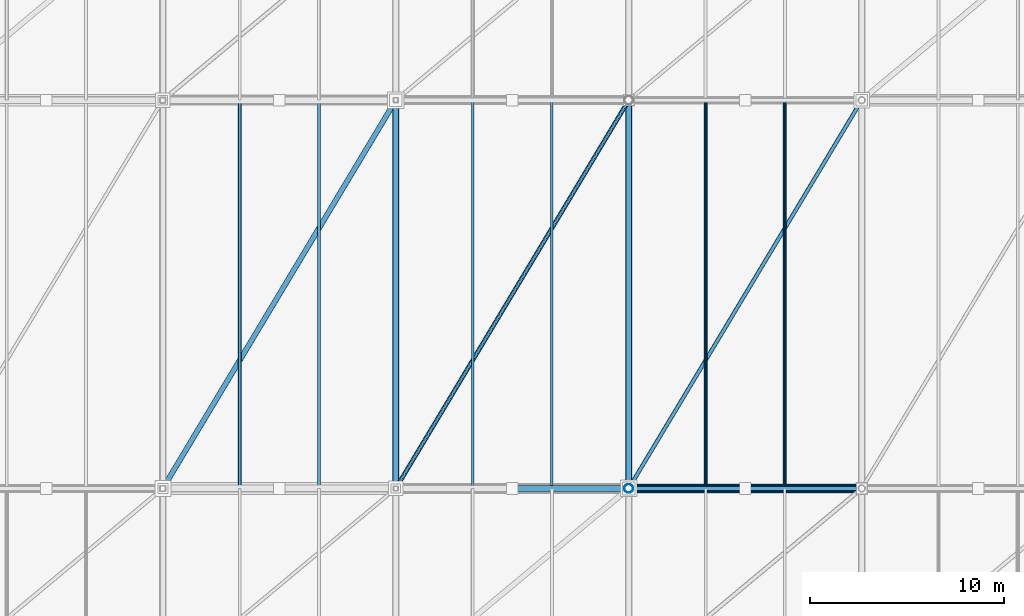
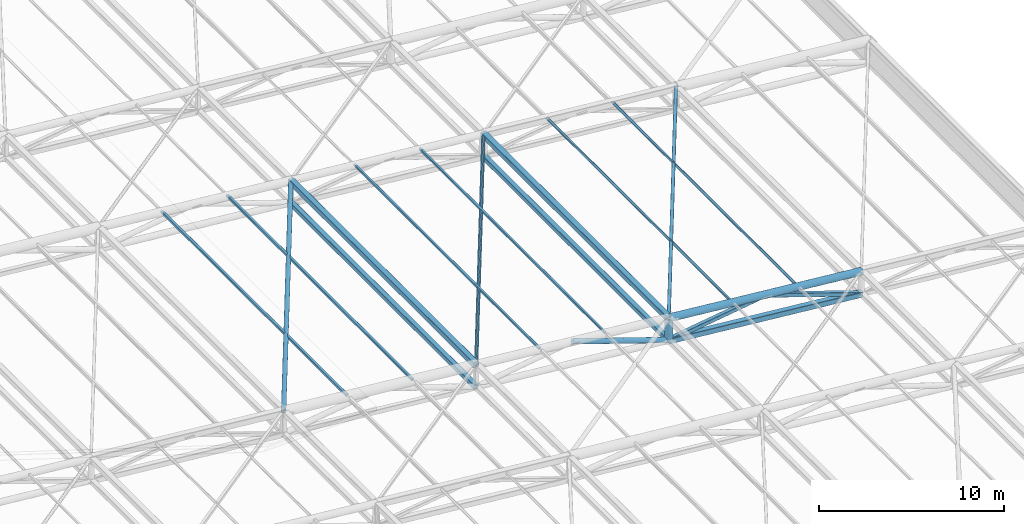
# One storey, part 22 of 44: 19 members.
"""IFC4 building model written with IfcOpenShell, lengths in metres."""

from ifc_helpers import new_model, si_unit, direction, frame, origin, origin_2d, place, context, subcontext, project, spatial, hollow_rectangle, hollow_circle, extrude, material, material_profile, profile_set, type_object, element, save


model = new_model("IFC4")

# Units and contexts
model_context = context("Model", 3, precision=1e-05, world=origin(), true_north=direction((0.0, 1.0)))
body_context = subcontext(model_context, "Body", "Model", "MODEL_VIEW")
ifc_project = project(units=[si_unit("LENGTHUNIT", "METRE"), si_unit("AREAUNIT", "SQUARE_METRE"), si_unit("VOLUMEUNIT", "CUBIC_METRE"), si_unit("PLANEANGLEUNIT", "RADIAN"), si_unit("MASSUNIT", "GRAM", prefix="KILO")], contexts=[model_context])

# Site, building, storey
site_placement = place(None, origin())
site = spatial("IfcSite", under=ifc_project, at=site_placement, CompositionType="ELEMENT")
building_placement = place(site_placement, origin())
building = spatial("IfcBuilding", under=site, at=building_placement, Name="Brinegate Civic Arena", CompositionType="ELEMENT")
storey_placement = place(building_placement, frame((0.0, 0.0, 29.39990234375)))
storey = spatial("IfcBuildingStorey", under=building, at=storey_placement, Name="RF", CompositionType="ELEMENT", Elevation=29.39990234375)

# Members
ifc_material = material(Name="Steel S355", Category="steel")
ifc_material_profile_1 = material_profile(ifc_material, hollow_circle(Radius=0.083984375, WallThickness=0.008056640625, at=origin_2d()), Name="CHS168X8")
ifc_profile_set_1 = profile_set([ifc_material_profile_1], Name="Steel S355")
member_type_1 = type_object("IfcMemberType", Name="RF-PURLIN-CHS168", PredefinedType="PURLIN", material=ifc_profile_set_1)
for number, where, z_axis, x_axis, name in (
    (1, (135.9599609375, 52.0, 3.460205078125), (0.0, 1.0, 0.0), (-1.0, 0.0, 0.0), "Roof Purlin RFP-069"),
    (2, (140.0400390625, 52.0, 3.0771484375), (0.0, 1.0, 0.0), (-1.0, 0.0, 0.0), "Roof Purlin RFP-070"),
):
    element("IfcMember", number, at=place(storey_placement, frame(where, z_axis=z_axis, x_axis=x_axis)), inside=storey, type_object=member_type_1, Name=name, PredefinedType="PURLIN", context=body_context, shape_type="SweptSolid", body=[
        extrude(hollow_circle(Radius=0.083984375, WallThickness=0.008056640625, at=origin_2d()), origin(), (0.0, 0.0, 1.0), 20.0),
    ])
ifc_material_profile_2 = material_profile(ifc_material, hollow_rectangle(XDim=0.139892578125, YDim=0.139892578125, WallThickness=0.008056640625, InnerFilletRadius=0.008056640625, OuterFilletRadius=0.01611328125, at=origin_2d()), Name="SHS140X8")
ifc_profile_set_2 = profile_set([ifc_material_profile_2], Name="Steel S355")
member_type_2 = type_object("IfcMemberType", Name="RF-PURLIN-SHS140", PredefinedType="PURLIN", material=ifc_profile_set_2)
for number, where, z_axis, x_axis, name in (
    (3, (123.9599609375, 52.0, 4.59912109375), (0.0, 1.0, 0.0), (-1.0, 0.0, 0.0), "Roof Purlin RFP-067"),
    (4, (128.0400390625, 52.0, 4.216064453125), (0.0, 1.0, 0.0), (-1.0, 0.0, 0.0), "Roof Purlin RFP-068"),
):
    element("IfcMember", number, at=place(storey_placement, frame(where, z_axis=z_axis, x_axis=x_axis)), inside=storey, type_object=member_type_2, Name=name, PredefinedType="PURLIN", context=body_context, shape_type="SweptSolid", body=[
        extrude(hollow_rectangle(XDim=0.139892578125, YDim=0.139892578125, WallThickness=0.008056640625, InnerFilletRadius=0.008056640625, OuterFilletRadius=0.01611328125, at=origin_2d()), origin(), (0.0, 0.0, 1.0), 20.0),
    ])
ifc_material_profile_3 = material_profile(ifc_material, hollow_rectangle(XDim=0.159912109375, YDim=0.159912109375, WallThickness=0.008056640625, InnerFilletRadius=0.008056640625, OuterFilletRadius=0.01611328125, at=origin_2d()), Name="SHS160X8")
ifc_profile_set_3 = profile_set([ifc_material_profile_3], Name="Steel S355")
member_type_3 = type_object("IfcMemberType", Name="RF-PURLIN-SHS160", PredefinedType="PURLIN", material=ifc_profile_set_3)
for number, where, z_axis, x_axis, name in (
    (5, (111.9599609375, 52.0, 5.714111328125), (0.0, 1.0, 0.0), (-1.0, 0.0, 0.0), "Roof Purlin RFP-065"),
    (6, (116.0400390625, 52.0, 5.3310546875), (0.0, 1.0, 0.0), (-1.0, 0.0, 0.0), "Roof Purlin RFP-066"),
):
    element("IfcMember", number, at=place(storey_placement, frame(where, z_axis=z_axis, x_axis=x_axis)), inside=storey, type_object=member_type_3, Name=name, PredefinedType="PURLIN", context=body_context, shape_type="SweptSolid", body=[
        extrude(hollow_rectangle(XDim=0.159912109375, YDim=0.159912109375, WallThickness=0.008056640625, InnerFilletRadius=0.008056640625, OuterFilletRadius=0.01611328125, at=origin_2d()), origin(), (0.0, 0.0, 1.0), 20.0),
    ])
ifc_material_profile_4 = material_profile(ifc_material, hollow_circle(Radius=0.109619140625, WallThickness=0.010009765625, at=origin_2d()), Name="CHS219X10")
ifc_profile_set_4 = profile_set([ifc_material_profile_4], Name="Steel S355")
member_type_4 = type_object("IfcMemberType", Name="SF-BRACE-CHS219", PredefinedType="BRACE", material=ifc_profile_set_4)
member_1_placement = place(storey_placement, frame((120.0, 52.0, 4.925048828125), z_axis=(0.513898306264, 0.856497177106, -0.048177966212), x_axis=(-0.857492925713, 0.514495755428, 0.0)))
element("IfcMember", 7, at=member_1_placement, inside=storey, type_object=member_type_4, Name="Roof Plan Diagonal Brace PL-4-7", PredefinedType="BRACE", context=body_context, shape_type="SweptSolid", body=[
    extrude(hollow_circle(Radius=0.109619140625, WallThickness=0.010009765625, at=origin_2d()), origin(), (0.0, 0.0, 1.0), 23.350830078125),
])
ifc_material_profile_5 = material_profile(ifc_material, hollow_circle(Radius=0.136474609375, WallThickness=0.011962890625, at=origin_2d()), Name="CHS273X12")
ifc_profile_set_5 = profile_set([ifc_material_profile_5], Name="Steel S355")
member_type_5 = type_object("IfcMemberType", Name="SF-BRACE-CHS273", PredefinedType="BRACE", material=ifc_profile_set_5)
member_2_placement = place(storey_placement, frame((108.0, 52.0, 6.050048828125), z_axis=(0.513898306264, 0.856497177106, -0.048177966212), x_axis=(-0.857492925713, 0.514495755428, 0.0)))
element("IfcMember", 8, at=member_2_placement, inside=storey, type_object=member_type_5, Name="Roof Plan Diagonal Brace PL-4-6", PredefinedType="BRACE", context=body_context, shape_type="SweptSolid", body=[
    extrude(hollow_circle(Radius=0.136474609375, WallThickness=0.011962890625, at=origin_2d()), origin(), (0.0, 0.0, 1.0), 23.350830078125),
])
ifc_material_profile_6 = material_profile(ifc_material, hollow_circle(Radius=0.162109375, WallThickness=0.011962890625, at=origin_2d()), Name="CHS324X12")
ifc_profile_set_6 = profile_set([ifc_material_profile_6], Name="Steel S355")
member_type_6 = type_object("IfcMemberType", Name="SF-BRACE-CHS324", PredefinedType="BRACE", material=ifc_profile_set_6)
member_3_placement = place(storey_placement, frame((126.0, 52.0, 4.363037109375), z_axis=(0.948068139281, 0.0, -0.318067293635), x_axis=(0.0, 1.0, 0.0)))
element("IfcMember", 9, at=member_3_placement, inside=storey, type_object=member_type_6, Name="Space Frame Web Brace D2-4-7", PredefinedType="BRACE", context=body_context, shape_type="SweptSolid", body=[
    extrude(hollow_circle(Radius=0.162109375, WallThickness=0.011962890625, at=origin_2d()), origin(), (0.0, 0.0, 1.0), 6.32861328125),
])
ifc_material_profile_7 = material_profile(ifc_material, hollow_rectangle(XDim=0.199951171875, YDim=0.199951171875, WallThickness=0.010009765625, InnerFilletRadius=0.010009765625, OuterFilletRadius=0.02001953125, at=origin_2d()), Name="SHS200X10")
ifc_profile_set_7 = profile_set([ifc_material_profile_7], Name="Steel S355")
member_type_7 = type_object("IfcMemberType", Name="SF-BRACE-SHS200", PredefinedType="BRACE", material=ifc_profile_set_7)
member_4_placement = place(storey_placement, frame((132.0, 52.0, 3.800048828125), z_axis=(0.513898306264, 0.856497177106, -0.048177966212), x_axis=(-0.857492925713, 0.514495755428, 0.0)))
element("IfcMember", 10, at=member_4_placement, inside=storey, type_object=member_type_7, Name="Roof Plan Diagonal Brace PL-4-8", PredefinedType="BRACE", context=body_context, shape_type="SweptSolid", body=[
    extrude(hollow_rectangle(XDim=0.199951171875, YDim=0.199951171875, WallThickness=0.010009765625, InnerFilletRadius=0.010009765625, OuterFilletRadius=0.02001953125, at=origin_2d()), origin(), (0.0, 0.0, 1.0), 23.350830078125),
])
ifc_material_profile_8 = material_profile(ifc_material, hollow_rectangle(XDim=0.25, YDim=0.25, WallThickness=0.011962890625, InnerFilletRadius=0.011962890625, OuterFilletRadius=0.02392578125, at=origin_2d()), Name="SHS250X12")
ifc_profile_set_8 = profile_set([ifc_material_profile_8], Name="Steel S355")
member_type_8 = type_object("IfcMemberType", Name="SF-BRACE-SHS250", PredefinedType="BRACE", material=ifc_profile_set_8)
member_5_placement = place(storey_placement, frame((132.0, 52.0, 2.35009765625), z_axis=(0.989226142737, 0.0, 0.1463954867), x_axis=(0.0, 1.0, 0.0)))
element("IfcMember", 11, at=member_5_placement, inside=storey, type_object=member_type_8, Name="Space Frame Web Brace D1-4-8", PredefinedType="BRACE", context=body_context, shape_type="SweptSolid", body=[
    extrude(hollow_rectangle(XDim=0.25, YDim=0.25, WallThickness=0.011962890625, InnerFilletRadius=0.011962890625, OuterFilletRadius=0.02392578125, at=origin_2d()), origin(), (0.0, 0.0, 1.0), 6.0654296875),
])
member_6_placement = place(storey_placement, frame((138.0, 52.0, 3.238037109375), z_axis=(0.948068139281, 0.0, -0.318067293635), x_axis=(0.0, 1.0, 0.0)))
element("IfcMember", 12, at=member_6_placement, inside=storey, type_object=member_type_8, Name="Space Frame Web Brace D2-4-8", PredefinedType="BRACE", context=body_context, shape_type="SweptSolid", body=[
    extrude(hollow_rectangle(XDim=0.25, YDim=0.25, WallThickness=0.011962890625, InnerFilletRadius=0.011962890625, OuterFilletRadius=0.02392578125, at=origin_2d()), origin(), (0.0, 0.0, 1.0), 6.32861328125),
])
ifc_material_profile_9 = material_profile(ifc_material, hollow_circle(Radius=0.228515625, WallThickness=0.01611328125, at=origin_2d()), Name="CHS457X16")
ifc_profile_set_9 = profile_set([ifc_material_profile_9], Name="Steel S355")
member_type_9 = type_object("IfcMemberType", Name="SF-CHORD-CHS457", PredefinedType="CHORD", material=ifc_profile_set_9)
member_7_placement = place(storey_placement, frame((132.0, 52.0, 3.800048828125), z_axis=(0.995634226059, 0.0, -0.093340708693), x_axis=(0.0, 1.0, 0.0)))
element("IfcMember", 13, at=member_7_placement, inside=storey, type_object=member_type_9, Name="Space Frame Top Chord TX-4-8", PredefinedType="CHORD", context=body_context, shape_type="SweptSolid", body=[
    extrude(hollow_circle(Radius=0.228515625, WallThickness=0.01611328125, at=origin_2d()), origin(), (0.0, 0.0, 1.0), 12.052734375),
])
ifc_material_profile_10 = material_profile(ifc_material, hollow_rectangle(XDim=0.300048828125, YDim=0.300048828125, WallThickness=0.01611328125, InnerFilletRadius=0.01611328125, OuterFilletRadius=0.031982421875, at=origin_2d()), Name="SHS300X16")
ifc_profile_set_10 = profile_set([ifc_material_profile_10], Name="Steel S355")
member_type_10 = type_object("IfcMemberType", Name="SF-CHORD-SHS300", PredefinedType="CHORD", material=ifc_profile_set_10)
for number, where, z_axis, x_axis, name in (
    (14, (120.0, 52.0, 3.47509765625), (0.0, 1.0, 0.0), (-1.0, 0.0, 0.0), "Space Frame Cross Bottom Chord BY-4-7"),
    (15, (132.0, 52.0, 2.35009765625), (0.0, 1.0, 0.0), (-1.0, 0.0, 0.0), "Space Frame Cross Bottom Chord BY-4-8"),
):
    element("IfcMember", number, at=place(storey_placement, frame(where, z_axis=z_axis, x_axis=x_axis)), inside=storey, type_object=member_type_10, Name=name, PredefinedType="CHORD", context=body_context, shape_type="SweptSolid", body=[
        extrude(hollow_rectangle(XDim=0.300048828125, YDim=0.300048828125, WallThickness=0.01611328125, InnerFilletRadius=0.01611328125, OuterFilletRadius=0.031982421875, at=origin_2d()), origin(), (0.0, 0.0, 1.0), 20.0),
    ])
ifc_material_profile_11 = material_profile(ifc_material, hollow_rectangle(XDim=0.35009765625, YDim=0.35009765625, WallThickness=0.01611328125, InnerFilletRadius=0.01611328125, OuterFilletRadius=0.031982421875, at=origin_2d()), Name="SHS350X16")
ifc_profile_set_11 = profile_set([ifc_material_profile_11], Name="Steel S355")
member_type_11 = type_object("IfcMemberType", Name="SF-CHORD-SHS350", PredefinedType="CHORD", material=ifc_profile_set_11)
member_8_placement = place(storey_placement, frame((132.0, 52.0, 2.35009765625), z_axis=(0.995634226059, 0.0, -0.093340708693), x_axis=(0.0, 1.0, 0.0)))
element("IfcMember", 16, at=member_8_placement, inside=storey, type_object=member_type_11, Name="Space Frame Bottom Chord BX-4-8", PredefinedType="CHORD", context=body_context, shape_type="SweptSolid", body=[
    extrude(hollow_rectangle(XDim=0.35009765625, YDim=0.35009765625, WallThickness=0.01611328125, InnerFilletRadius=0.01611328125, OuterFilletRadius=0.031982421875, at=origin_2d()), origin(), (0.0, 0.0, 1.0), 12.052734375),
])
for number, where, z_axis, x_axis, name in (
    (17, (120.0, 52.0, 4.925048828125), (0.0, 1.0, 0.0), (-1.0, 0.0, 0.0), "Space Frame Cross Top Chord TY-4-7"),
    (18, (132.0, 52.0, 3.800048828125), (0.0, 1.0, 0.0), (-1.0, 0.0, 0.0), "Space Frame Cross Top Chord TY-4-8"),
):
    element("IfcMember", number, at=place(storey_placement, frame(where, z_axis=z_axis, x_axis=x_axis)), inside=storey, type_object=member_type_11, Name=name, PredefinedType="CHORD", context=body_context, shape_type="SweptSolid", body=[
        extrude(hollow_rectangle(XDim=0.35009765625, YDim=0.35009765625, WallThickness=0.01611328125, InnerFilletRadius=0.01611328125, OuterFilletRadius=0.031982421875, at=origin_2d()), origin(), (0.0, 0.0, 1.0), 20.0),
    ])
ifc_material_profile_12 = material_profile(ifc_material, hollow_circle(Radius=0.228515625, WallThickness=0.01611328125, at=origin_2d()), Name="CHS457X16")
ifc_profile_set_12 = profile_set([ifc_material_profile_12], Name="Steel S355")
member_type_12 = type_object("IfcMemberType", Name="SF-STRUT-CHS457", PredefinedType="STRUT", material=ifc_profile_set_12)
member_9_placement = place(storey_placement, frame((132.0, 52.0, 2.35009765625), z_axis=(0.0, 0.0, 1.0), x_axis=(1.0, 0.0, 0.0)))
element("IfcMember", 19, at=member_9_placement, inside=storey, type_object=member_type_12, Name="Space Frame Vertical Post V-4-8", PredefinedType="STRUT", context=body_context, shape_type="SweptSolid", body=[
    extrude(hollow_circle(Radius=0.228515625, WallThickness=0.01611328125, at=origin_2d()), origin(), (0.0, 0.0, 1.0), 1.449951171875),
])

save(model, "model.ifc")
